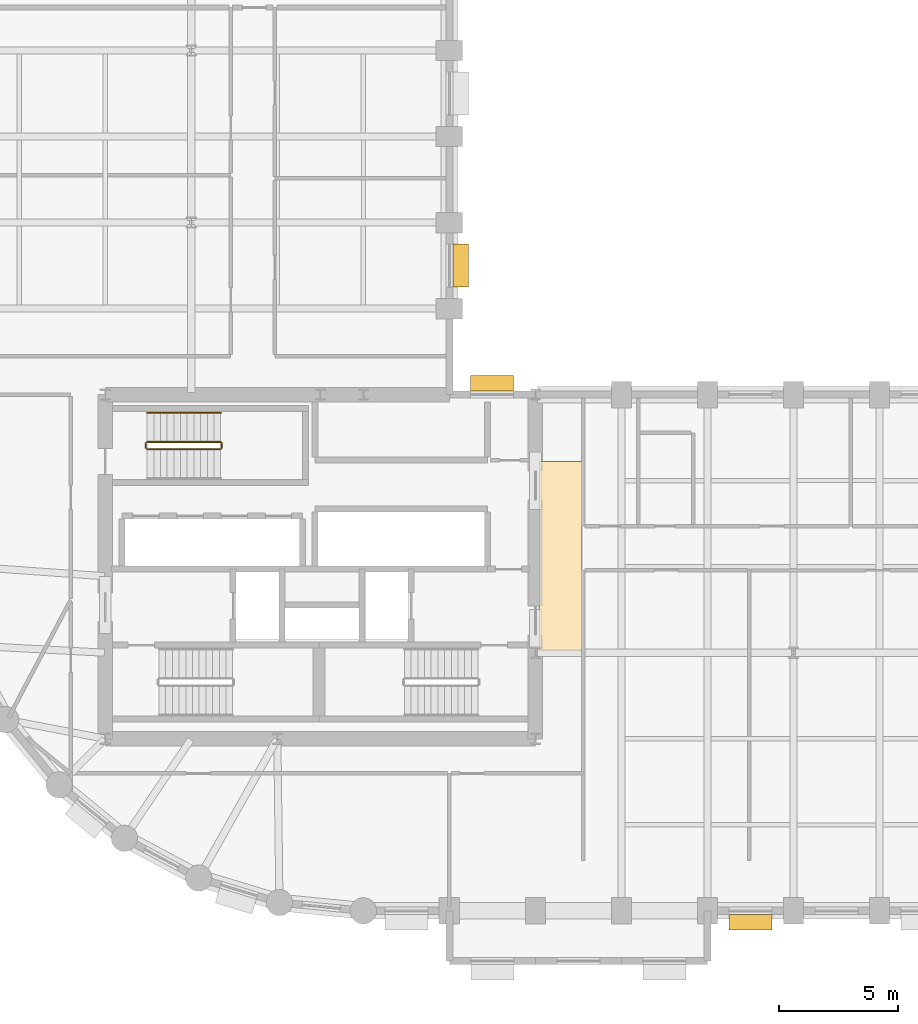
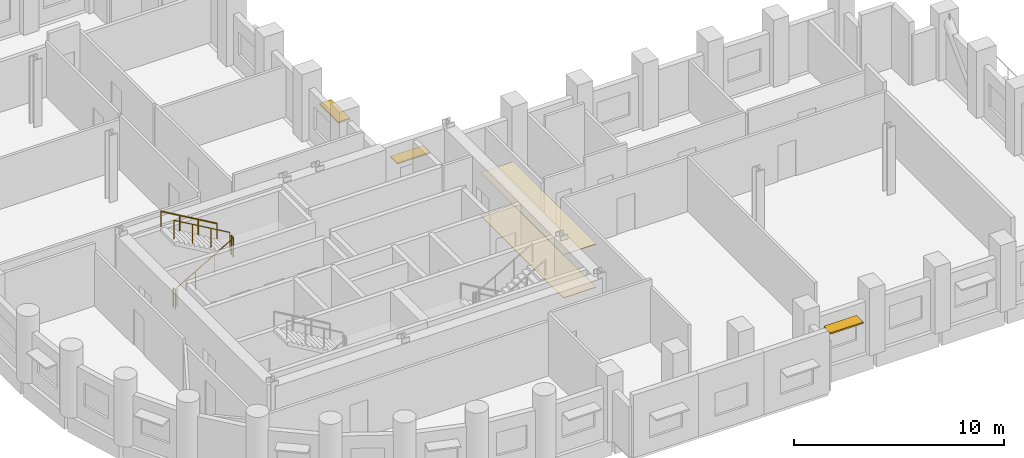
# One storey, part 9 of 10: 5 railings, 3 shading devices, 2 coverings.
"""IFC4 building model written with IfcOpenShell, lengths in metres."""

from ifc_helpers import new_model, si_unit, direction, frame, origin, origin_2d, place, context, subcontext, project, spatial, polyline, rectangle, circle, outline, extrude, material, layer, layer_set, type_object, element, save


model = new_model("IFC4")

# Units and contexts
model_context = context("Model", 3, precision=1e-05, world=origin(), true_north=direction((0.0, 1.0)))
body_context = subcontext(model_context, "Body", "Model", "MODEL_VIEW")
ifc_project = project(units=[si_unit("LENGTHUNIT", "METRE"), si_unit("AREAUNIT", "SQUARE_METRE"), si_unit("VOLUMEUNIT", "CUBIC_METRE"), si_unit("PLANEANGLEUNIT", "RADIAN"), si_unit("MASSUNIT", "GRAM", prefix="KILO")], contexts=[model_context])

# Site, building, storey
site_placement = place(None, origin())
site = spatial("IfcSite", under=ifc_project, at=site_placement, CompositionType="ELEMENT")
building_placement = place(site_placement, origin())
building = spatial("IfcBuilding", under=site, at=building_placement, Name="Solnavia Interchange Tower", CompositionType="ELEMENT")
storey_placement = place(building_placement, frame((0.0, 0.0, 103.5)))
storey = spatial("IfcBuildingStorey", under=building, at=storey_placement, Name="L25", CompositionType="ELEMENT", Elevation=103.5)

# Coverings
ifc_material_1 = material(Name="Perforated Mineral-Fibre & Gypsum Ceiling", Category="gypsum")
ifc_layer_1 = layer(ifc_material_1, 0.0400390625)
ifc_layer_set_1 = layer_set([ifc_layer_1], Name="Perforated Mineral-Fibre & Gypsum Ceiling")
covering_type_1 = type_object("IfcCoveringType", Name="Covering-Ceiling-Acoustic40", PredefinedType="CEILING", material=ifc_layer_set_1)
covering_1_placement = place(storey_placement, frame((0.0, 0.0, 2.5)))
element("IfcCovering", 1, at=covering_1_placement, inside=storey, type_object=covering_type_1, Name="CLG-L25-01 Circulation suspended acoustic ceiling", PredefinedType="CEILING", context=body_context, shape_type="SweptSolid", body=[
    extrude(outline(polyline([(32.550048828125, 14.5), (34.35009765625, 14.5), (34.35009765625, 22.39990234375), (32.550048828125, 22.39990234375), (32.550048828125, 14.5)])), origin(), (0.0, 0.0, 1.0), 0.0400390625),
])
ifc_material_2 = material(Name="Polished Alicante Stone Terrazzo", Category="masonry")
ifc_layer_2 = layer(ifc_material_2, 0.02490234375)
ifc_layer_set_2 = layer_set([ifc_layer_2], Name="Polished Alicante Stone Terrazzo")
covering_type_2 = type_object("IfcCoveringType", Name="Covering-Flooring-Terrazzo25", PredefinedType="FLOORING", material=ifc_layer_set_2)
covering_2_placement = place(storey_placement, origin())
element("IfcCovering", 2, at=covering_2_placement, inside=storey, type_object=covering_type_2, Name="FLR-L25-01 Circulation floor finish", PredefinedType="FLOORING", context=body_context, shape_type="SweptSolid", body=[
    extrude(outline(polyline([(32.550048828125, 14.5), (34.35009765625, 14.5), (34.35009765625, 22.39990234375), (32.550048828125, 22.39990234375), (32.550048828125, 14.5)])), origin(), (0.0, 0.0, 1.0), 0.02490234375),
])

# Railings
ifc_material_3 = material(Name="Painted Steel Balustrade", Category="steel")
railing_type_1 = type_object("IfcRailingType", Name="Railing-StairGuard-1100", PredefinedType="GUARDRAIL", material=ifc_material_3)
railing_1_placement = place(storey_placement, frame((16.14990234375, 22.919921875, 0.16259765625)))
element("IfcRailing", 3, at=railing_1_placement, inside=storey, type_object=railing_type_1, Name="L25 ST-3 stair guard 1", PredefinedType="GUARDRAIL", context=body_context, shape_type="SweptSolid", body=[
    extrude(circle(Radius=0.02392578125, at=origin_2d()), frame((0.0, 0.0, 1.09619140625), z_axis=(0.864920483161, 0.0, 0.501908913857), x_axis=(0.0, 1.0, 0.0)), (0.0, 0.0, 1.0), 3.56103515625),
    extrude(circle(Radius=0.02099609375, at=origin_2d()), origin(), (0.0, 0.0, 1.0), 1.072021484375),
    extrude(circle(Radius=0.02099609375, at=origin_2d()), frame((1.026611328125, 0.0, 0.595703125)), (0.0, 0.0, 1.0), 1.072021484375),
    extrude(circle(Radius=0.02099609375, at=origin_2d()), frame((2.053466796875, 0.0, 1.191650390625)), (0.0, 0.0, 1.0), 1.072021484375),
    extrude(circle(Radius=0.02099609375, at=origin_2d()), frame((3.080078125, 0.0, 1.787353515625)), (0.0, 0.0, 1.0), 1.072021484375),
])
railing_2_placement = place(storey_placement, frame((19.280029296875, 22.969970703125, 1.949951171875)))
element("IfcRailing", 4, at=railing_2_placement, inside=storey, type_object=railing_type_1, Name="L25 ST-3 stair guard 2", PredefinedType="GUARDRAIL", context=body_context, shape_type="SweptSolid", body=[
    extrude(circle(Radius=0.02392578125, at=origin_2d()), frame((0.0, 0.0, 1.09619140625), z_axis=(0.0, 1.0, 0.0), x_axis=(-1.0, 0.0, 0.0)), (0.0, 0.0, 1.0), 0.199951171875),
    extrude(circle(Radius=0.02099609375, at=origin_2d()), origin(), (0.0, 0.0, 1.0), 1.072021484375),
    extrude(circle(Radius=0.02099609375, at=origin_2d()), frame((0.0, 0.199951171875, 0.0)), (0.0, 0.0, 1.0), 1.072021484375),
])
railing_3_placement = place(storey_placement, frame((19.22998046875, 23.219970703125, 2.112548828125)))
element("IfcRailing", 5, at=railing_3_placement, inside=storey, type_object=railing_type_1, Name="L25 ST-3 stair guard 3", PredefinedType="GUARDRAIL", context=body_context, shape_type="SweptSolid", body=[
    extrude(circle(Radius=0.02392578125, at=origin_2d()), frame((0.0, 0.0, 1.09619140625), z_axis=(-0.864920483161, 0.0, 0.501908913857), x_axis=(0.0, -1.0, 0.0)), (0.0, 0.0, 1.0), 3.56103515625),
    extrude(circle(Radius=0.02099609375, at=origin_2d()), origin(), (0.0, 0.0, 1.0), 1.072021484375),
    extrude(circle(Radius=0.02099609375, at=origin_2d()), frame((-1.026611328125, 0.0, 0.595703125)), (0.0, 0.0, 1.0), 1.072021484375),
    extrude(circle(Radius=0.02099609375, at=origin_2d()), frame((-2.053466796875, 0.0, 1.191650390625)), (0.0, 0.0, 1.0), 1.072021484375),
    extrude(circle(Radius=0.02099609375, at=origin_2d()), frame((-3.080078125, 0.0, 1.787353515625)), (0.0, 0.0, 1.0), 1.072021484375),
])
railing_4_placement = place(storey_placement, frame((16.10009765625, 22.969970703125, 0.0)))
element("IfcRailing", 6, at=railing_4_placement, inside=storey, type_object=railing_type_1, Name="L25 ST-3 stair guard 4", PredefinedType="GUARDRAIL", context=body_context, shape_type="SweptSolid", body=[
    extrude(circle(Radius=0.02392578125, at=origin_2d()), frame((0.0, 0.0, 1.09619140625), z_axis=(0.0, 1.0, 0.0), x_axis=(-1.0, 0.0, 0.0)), (0.0, 0.0, 1.0), 0.199951171875),
    extrude(circle(Radius=0.02099609375, at=origin_2d()), origin(), (0.0, 0.0, 1.0), 1.072021484375),
    extrude(circle(Radius=0.02099609375, at=origin_2d()), frame((0.0, 0.199951171875, 0.0)), (0.0, 0.0, 1.0), 1.072021484375),
])
ifc_material_4 = material(Name="Brushed Stainless Steel", Category="steel")
railing_type_2 = type_object("IfcRailingType", Name="Railing-StairHandrail-900", PredefinedType="HANDRAIL", material=ifc_material_4)
railing_5_placement = place(storey_placement, frame((19.22998046875, 24.43994140625, 2.112548828125)))
element("IfcRailing", 7, at=railing_5_placement, inside=storey, type_object=railing_type_2, Name="L25 ST-3 stair handrail 2", PredefinedType="HANDRAIL", context=body_context, shape_type="SweptSolid", body=[
    extrude(circle(Radius=0.02392578125, at=origin_2d()), frame((0.0, 0.0, 0.8759765625), z_axis=(-0.864920483161, 0.0, 0.501908913857), x_axis=(0.0, -1.0, 0.0)), (0.0, 0.0, 1.0), 3.56103515625),
    extrude(circle(Radius=0.02099609375, at=origin_2d()), origin(), (0.0, 0.0, 1.0), 0.851806640625),
    extrude(circle(Radius=0.02099609375, at=origin_2d()), frame((-1.026611328125, 0.0, 0.595703125)), (0.0, 0.0, 1.0), 0.851806640625),
    extrude(circle(Radius=0.02099609375, at=origin_2d()), frame((-2.053466796875, 0.0, 1.191650390625)), (0.0, 0.0, 1.0), 0.851806640625),
    extrude(circle(Radius=0.02099609375, at=origin_2d()), frame((-3.080078125, 0.0, 1.787353515625)), (0.0, 0.0, 1.0), 0.851806640625),
])

# Shading devices
ifc_material_5 = material(Name="Anodised Aluminium Sunshade", Category="aluminium")
ifc_layer_3 = layer(ifc_material_5, 0.080078125)
ifc_layer_set_3 = layer_set([ifc_layer_3], Name="Anodised Aluminium Sunshade")
shading_device_type = type_object("IfcShadingDeviceType", Name="Sunshade-Band-650", PredefinedType="SHUTTER", material=ifc_layer_set_3)
for number, where, z_axis, x_axis, name in (
    (8, (41.39990234375, 3.1298828125, 2.219970703125), (0.0, 0.0, 1.0), (-1.0, 0.0, 0.0), "SHD-L25-07 Horizontal sunshade band"),
    (9, (30.577880859375, 25.669921875, 2.219970703125), (0.0, 0.0, 1.0), (1.0, 0.0, 0.0), "SHD-L25-29 Horizontal sunshade band"),
    (10, (29.27001953125, 30.60009765625, 2.219970703125), (0.0, 0.0, 1.0), (0.0, -1.0, 0.0), "SHD-L25-31 Horizontal sunshade band"),
):
    element("IfcShadingDevice", number, at=place(storey_placement, frame(where, z_axis=z_axis, x_axis=x_axis)), inside=storey, type_object=shading_device_type, Name=name, PredefinedType="SHUTTER", context=body_context, shape_type="SweptSolid", body=[
        extrude(rectangle(XDim=1.800048828125, YDim=0.64990234375, at=origin_2d()), origin(), (0.0, 0.0, 1.0), 0.080078125),
    ])

save(model, "model.ifc")
